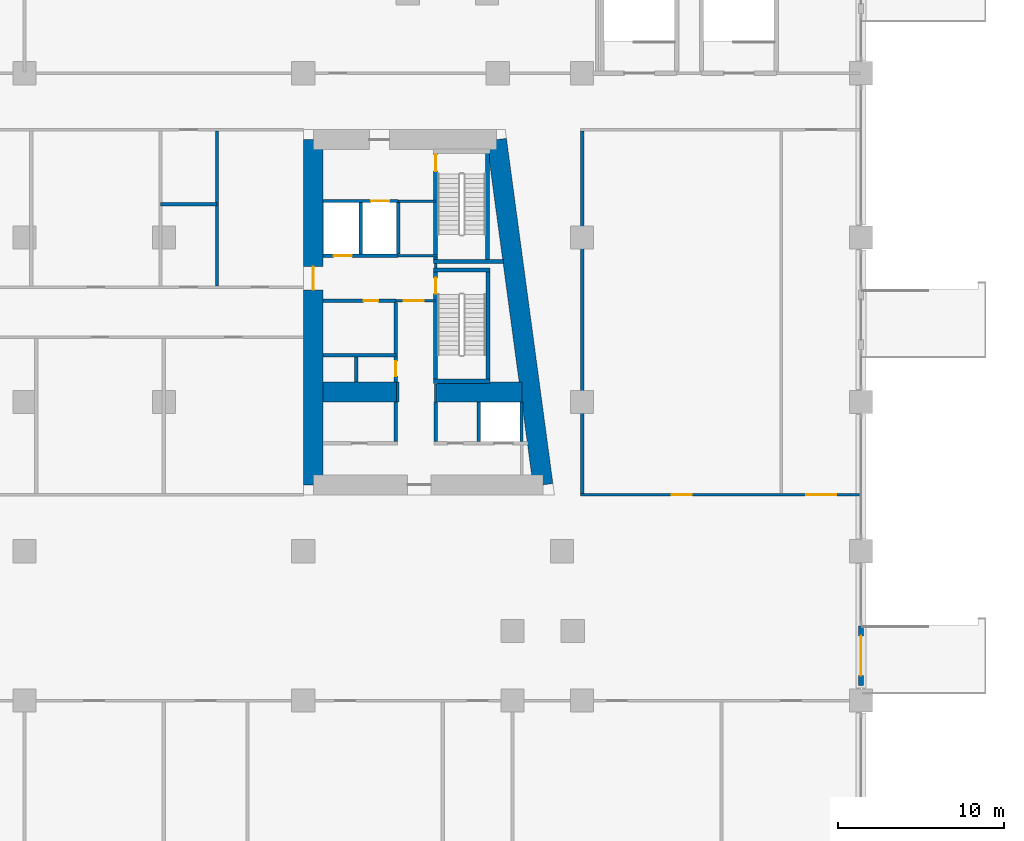
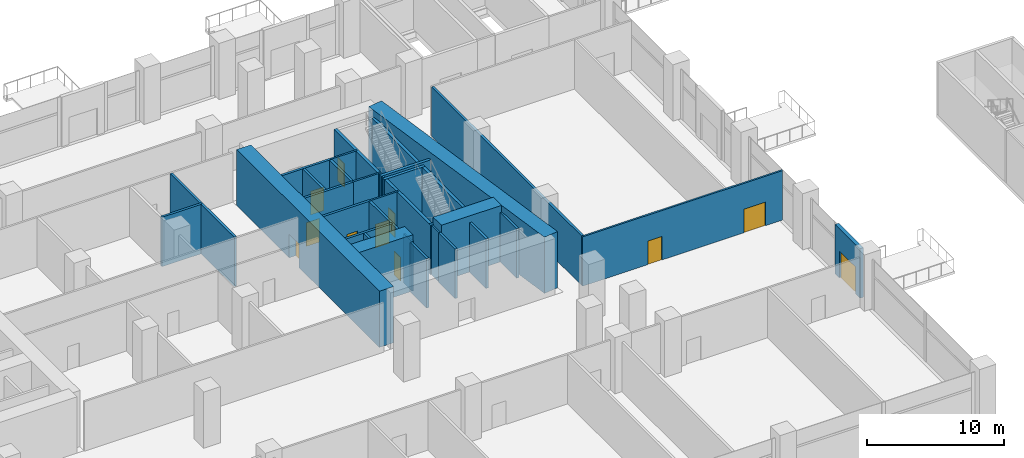
# One storey, part 20 of 33: 34 walls, 11 doors, 11 openings.
"""IFC4 building model written with IfcOpenShell, lengths in metres."""

from ifc_helpers import new_model, si_unit, direction, frame, frame_2d, origin, place, context, subcontext, project, spatial, rectangle, extrude, material, layer, layer_set, type_object, element, fill, save


model = new_model("IFC4")

# Units and contexts
model_context = context("Model", 3, precision=1e-05, world=origin(), true_north=direction((0.0, 1.0)))
body_context = subcontext(model_context, "Body", "Model", "MODEL_VIEW")
ifc_project = project(units=[si_unit("LENGTHUNIT", "METRE"), si_unit("AREAUNIT", "SQUARE_METRE"), si_unit("VOLUMEUNIT", "CUBIC_METRE"), si_unit("PLANEANGLEUNIT", "RADIAN"), si_unit("MASSUNIT", "GRAM", prefix="KILO")], contexts=[model_context])

# Site, building, storey
site_placement = place(None, origin())
site = spatial("IfcSite", under=ifc_project, at=site_placement, CompositionType="ELEMENT")
building_placement = place(site_placement, origin())
building = spatial("IfcBuilding", under=site, at=building_placement, Name="Candeia Pilgrim Tower and Theatre", CompositionType="ELEMENT")
storey_placement = place(building_placement, frame((0.0, 0.0, 29.0)))
storey = spatial("IfcBuildingStorey", under=building, at=storey_placement, Name="L04", CompositionType="ELEMENT", Elevation=29.0)

# Wall
ifc_material_1 = material(Name="Concrete C80/95", Category="concrete")
ifc_layer_1 = layer(ifc_material_1, 1.199951171875)
ifc_layer_set_1 = layer_set([ifc_layer_1], Name="Core wall 1200 C80/95")
wall_type_1 = type_object("IfcWallType", Name="Core wall 1200 C80/95", PredefinedType="SHEAR", material=ifc_layer_set_1)
wall_1_placement = place(storey_placement, frame((137.64453125, 131.800048828125, 0.0), z_axis=(0.0, 0.0, 1.0), x_axis=(0.133413989637, -0.99106039542, 0.0)))
element("IfcWall", 1, at=wall_1_placement, inside=storey, type_object=wall_type_1, Name="Core wall E2", PredefinedType="SHEAR", context=body_context, shape_type="SweptSolid", body=[
    extrude(rectangle(XDim=20.987548828125, YDim=1.199951171875, at=frame_2d((10.49365234375, 0.0))), origin(), (0.0, 0.0, 1.0), 5.0),
])

# Wall, opening, door
wall_2_placement = place(storey_placement, frame((126.60009765625, 111.0, 0.0), z_axis=(0.0, 0.0, 1.0), x_axis=(0.0, 1.0, 0.0)))
wall_2 = element("IfcWall", 2, at=wall_2_placement, inside=storey, type_object=wall_type_1, Name="Core wall E4", PredefinedType="SHEAR", context=body_context, shape_type="SweptSolid", body=[
    extrude(rectangle(XDim=20.800048828125, YDim=1.199951171875, at=frame_2d((10.39990234375, 0.0))), origin(), (0.0, 0.0, 1.0), 5.0),
])
opening_1_placement = place(wall_2_placement, frame((11.75, 0.0, 0.0)))
opening_1 = element("IfcOpeningElement", 3, at=opening_1_placement, cuts=wall_2, Name="Opening L04-D048", PredefinedType="OPENING", context=body_context, shape_type="SweptSolid", body=[
    extrude(rectangle(XDim=1.39990234375, YDim=2.10009765625, at=frame_2d((0.699951171875, 1.050048828125))), frame((0.0, 0.60986328125, 0.0), z_axis=(0.0, -1.0, 0.0), x_axis=(1.0, 0.0, 0.0)), (0.0, 0.0, 1.0), 1.219970703125),
])
ifc_material_2 = material(Name="Steel fire door set", Category="steel")
door_type_1 = type_object("IfcDoorType", Name="D-1400-FD60", OperationType="NOTDEFINED", PredefinedType="DOOR", material=ifc_material_2)
door_1_placement = place(opening_1_placement, origin())
door_1 = element("IfcDoor", 4, at=door_1_placement, inside=storey, type_object=door_type_1, Name="Door L04-D048", OperationType="SINGLE_SWING_RIGHT", OverallHeight=2.10009765625, OverallWidth=1.39990234375, PredefinedType="DOOR", context=body_context, shape_type="SweptSolid", body=[
    extrude(rectangle(XDim=1.39990234375, YDim=2.10009765625, at=frame_2d((0.699951171875, 1.050048828125))), frame((0.0, 0.02490234375, 0.0), z_axis=(0.0, -1.0, 0.0), x_axis=(1.0, 0.0, 0.0)), (0.0, 0.0, 1.0), 0.050048828125),
])
fill(opening_1, door_1)

# Walls
wall_3_placement = place(storey_placement, frame((127.199951171875, 116.60009765625, 0.0), z_axis=(0.0, 0.0, 1.0), x_axis=(1.0, 0.0, 0.0)))
element("IfcWall", 5, at=wall_3_placement, inside=storey, type_object=wall_type_1, Name="Core wall E5", PredefinedType="SHEAR", context=body_context, shape_type="SweptSolid", body=[
    extrude(rectangle(XDim=4.5, YDim=1.199951171875, at=frame_2d((2.25, 0.0))), origin(), (0.0, 0.0, 1.0), 5.0),
])
wall_4_placement = place(storey_placement, frame((134.10009765625, 116.60009765625, 0.0), z_axis=(0.0, 0.0, 1.0), x_axis=(1.0, 0.0, 0.0)))
element("IfcWall", 6, at=wall_4_placement, inside=storey, type_object=wall_type_1, Name="Core wall E6", PredefinedType="SHEAR", context=body_context, shape_type="SweptSolid", body=[
    extrude(rectangle(XDim=5.076904296875, YDim=1.199951171875, at=frame_2d((2.53857421875, 0.0))), origin(), (0.0, 0.0, 1.0), 5.0),
])

# Wall, opening, door
ifc_material_3 = material(Name="Ceramic block masonry", Category="masonry")
ifc_layer_2 = layer(ifc_material_3, 0.300048828125)
ifc_layer_set_2 = layer_set([ifc_layer_2], Name="EW2 entrance infill wall 300")
wall_type_2 = type_object("IfcWallType", Name="EW2 entrance infill wall 300", PredefinedType="SOLIDWALL", material=ifc_layer_set_2)
wall_5_placement = place(storey_placement, frame((159.60009765625, 102.5, 0.0), z_axis=(0.0, 0.0, 1.0), x_axis=(0.0, -1.0, 0.0)))
wall_5 = element("IfcWall", 7, at=wall_5_placement, inside=storey, type_object=wall_type_2, Name="Entrance wall L04", PredefinedType="SOLIDWALL", context=body_context, shape_type="SweptSolid", body=[
    extrude(rectangle(XDim=3.60009765625, YDim=0.300048828125, at=frame_2d((1.800048828125, 0.0))), origin(), (0.0, 0.0, 1.0), 4.39990234375),
])
opening_2_placement = place(wall_5_placement, frame((0.60009765625, 0.0, 0.0)))
opening_2 = element("IfcOpeningElement", 8, at=opening_2_placement, cuts=wall_5, Name="Opening L04-ED082", PredefinedType="OPENING", context=body_context, shape_type="SweptSolid", body=[
    extrude(rectangle(XDim=2.39990234375, YDim=2.39990234375, at=frame_2d((1.199951171875, 1.199951171875))), frame((0.0, 0.16015625, 0.0), z_axis=(0.0, -1.0, 0.0), x_axis=(1.0, 0.0, 0.0)), (0.0, 0.0, 1.0), 0.320068359375),
])
ifc_material_4 = material(Name="Aluminium framed glazed door", Category="aluminium")
door_type_2 = type_object("IfcDoorType", Name="ED entrance double door 2400x2400", OperationType="DOUBLE_DOOR_DOUBLE_SWING", PredefinedType="DOOR", material=ifc_material_4)
door_2_placement = place(opening_2_placement, origin())
door_2 = element("IfcDoor", 9, at=door_2_placement, inside=storey, type_object=door_type_2, Name="Entrance door L04-ED082", OperationType="DOUBLE_DOOR_DOUBLE_SWING", OverallHeight=2.39990234375, OverallWidth=2.39990234375, PredefinedType="DOOR", context=body_context, shape_type="SweptSolid", body=[
    extrude(rectangle(XDim=2.39990234375, YDim=2.39990234375, at=frame_2d((1.199951171875, 1.199951171875))), frame((0.0, 0.02490234375, 0.0), z_axis=(0.0, -1.0, 0.0), x_axis=(1.0, 0.0, 0.0)), (0.0, 0.0, 1.0), 0.050048828125),
])
fill(opening_2, door_2)

# Wall, openings, doors
ifc_material_5 = material(Name="Gypsum board partition on steel studs", Category="steel")
ifc_layer_3 = layer(ifc_material_5, 0.14990234375)
ifc_layer_set_3 = layer_set([ifc_layer_3], Name="PW-150 lobby wall")
wall_type_3 = type_object("IfcWallType", Name="PW-150 lobby wall", PredefinedType="PARTITIONING", material=ifc_layer_set_3)
wall_6_placement = place(storey_placement, frame((142.699951171875, 110.39990234375, 0.0), z_axis=(0.0, 0.0, 1.0), x_axis=(1.0, 0.0, 0.0)))
wall_6 = element("IfcWall", 10, at=wall_6_placement, inside=storey, type_object=wall_type_3, Name="Lobby wall L04-004", PredefinedType="PARTITIONING", context=body_context, shape_type="SweptSolid", body=[
    extrude(rectangle(XDim=16.85009765625, YDim=0.14990234375, at=frame_2d((8.425048828125, 0.0))), origin(), (0.0, 0.0, 1.0), 4.39990234375),
])
opening_3_placement = place(wall_6_placement, frame((5.5, 0.0, 0.0)))
opening_3 = element("IfcOpeningElement", 11, at=opening_3_placement, cuts=wall_6, Name="Opening L04-D011", PredefinedType="OPENING", context=body_context, shape_type="SweptSolid", body=[
    extrude(rectangle(XDim=1.199951171875, YDim=2.10009765625, at=frame_2d((0.60009765625, 1.050048828125))), frame((0.0, 0.0849609375, 0.0), z_axis=(0.0, -1.0, 0.0), x_axis=(1.0, 0.0, 0.0)), (0.0, 0.0, 1.0), 0.169921875),
])
opening_4_placement = place(wall_6_placement, frame((13.60009765625, 0.0, 0.0)))
opening_4 = element("IfcOpeningElement", 12, at=opening_4_placement, cuts=wall_6, Name="Opening L04-D028", PredefinedType="OPENING", context=body_context, shape_type="SweptSolid", body=[
    extrude(rectangle(XDim=1.800048828125, YDim=2.10009765625, at=frame_2d((0.89990234375, 1.050048828125))), frame((0.0, 0.0849609375, 0.0), z_axis=(0.0, -1.0, 0.0), x_axis=(1.0, 0.0, 0.0)), (0.0, 0.0, 1.0), 0.169921875),
])
door_type_3 = type_object("IfcDoorType", Name="D-1200-FD30S", OperationType="NOTDEFINED", PredefinedType="DOOR", material=ifc_material_2)
door_3_placement = place(opening_3_placement, origin())
door_3 = element("IfcDoor", 13, at=door_3_placement, inside=storey, type_object=door_type_3, Name="Door L04-D011", OperationType="SINGLE_SWING_LEFT", OverallHeight=2.10009765625, OverallWidth=1.199951171875, PredefinedType="DOOR", context=body_context, shape_type="SweptSolid", body=[
    extrude(rectangle(XDim=1.199951171875, YDim=2.10009765625, at=frame_2d((0.60009765625, 1.050048828125))), frame((0.0, 0.02490234375, 0.0), z_axis=(0.0, -1.0, 0.0), x_axis=(1.0, 0.0, 0.0)), (0.0, 0.0, 1.0), 0.050048828125),
])
fill(opening_3, door_3)
door_type_4 = type_object("IfcDoorType", Name="D-1800-FD60", OperationType="NOTDEFINED", PredefinedType="DOOR", material=ifc_material_2)
door_4_placement = place(opening_4_placement, origin())
door_4 = element("IfcDoor", 14, at=door_4_placement, inside=storey, type_object=door_type_4, Name="Door L04-D028", OperationType="SINGLE_SWING_RIGHT", OverallHeight=2.10009765625, OverallWidth=1.800048828125, PredefinedType="DOOR", context=body_context, shape_type="SweptSolid", body=[
    extrude(rectangle(XDim=1.800048828125, YDim=2.10009765625, at=frame_2d((0.89990234375, 1.050048828125))), frame((0.0, 0.02490234375, 0.0), z_axis=(0.0, -1.0, 0.0), x_axis=(1.0, 0.0, 0.0)), (0.0, 0.0, 1.0), 0.050048828125),
])
fill(opening_4, door_4)

# Wall, opening, door
wall_7_placement = place(storey_placement, frame((131.572998046875, 122.10009765625, 0.0), z_axis=(0.0, 0.0, 1.0), x_axis=(1.0, 0.0, 0.0)))
wall_7 = element("IfcWall", 15, at=wall_7_placement, inside=storey, type_object=wall_type_3, Name="Lobby wall L04-017", PredefinedType="PARTITIONING", context=body_context, shape_type="SweptSolid", body=[
    extrude(rectangle(XDim=2.39990234375, YDim=0.14990234375, at=frame_2d((1.199951171875, 0.0))), origin(), (0.0, 0.0, 1.0), 4.39990234375),
])
opening_5_placement = place(wall_7_placement, frame((0.47509765625, 0.0, 0.0)))
opening_5 = element("IfcOpeningElement", 16, at=opening_5_placement, cuts=wall_7, Name="Opening L04-D036", PredefinedType="OPENING", context=body_context, shape_type="SweptSolid", body=[
    extrude(rectangle(XDim=1.199951171875, YDim=2.10009765625, at=frame_2d((0.60009765625, 1.050048828125))), frame((0.0, 0.0849609375, 0.0), z_axis=(0.0, -1.0, 0.0), x_axis=(1.0, 0.0, 0.0)), (0.0, 0.0, 1.0), 0.169921875),
])
door_type_5 = type_object("IfcDoorType", Name="D-1200-FD60", OperationType="NOTDEFINED", PredefinedType="DOOR", material=ifc_material_2)
door_5_placement = place(opening_5_placement, origin())
door_5 = element("IfcDoor", 17, at=door_5_placement, inside=storey, type_object=door_type_5, Name="Door L04-D036", OperationType="SINGLE_SWING_LEFT", OverallHeight=2.10009765625, OverallWidth=1.199951171875, PredefinedType="DOOR", context=body_context, shape_type="SweptSolid", body=[
    extrude(rectangle(XDim=1.199951171875, YDim=2.10009765625, at=frame_2d((0.60009765625, 1.050048828125))), frame((0.0, 0.02490234375, 0.0), z_axis=(0.0, -1.0, 0.0), x_axis=(1.0, 0.0, 0.0)), (0.0, 0.0, 1.0), 0.050048828125),
])
fill(opening_5, door_5)

# Walls
wall_8_placement = place(storey_placement, frame((131.71533203125, 124.800048828125, 0.0), z_axis=(0.0, 0.0, 1.0), x_axis=(1.0, 0.0, 0.0)))
element("IfcWall", 18, at=wall_8_placement, inside=storey, type_object=wall_type_3, Name="Lobby wall L04-025", PredefinedType="PARTITIONING", context=body_context, shape_type="SweptSolid", body=[
    extrude(rectangle(XDim=2.382568359375, YDim=0.14990234375, at=frame_2d((1.19140625, 0.0))), origin(), (0.0, 0.0, 1.0), 4.39990234375),
])
wall_9_placement = place(storey_placement, frame((131.71533203125, 128.10009765625, 0.0), z_axis=(0.0, 0.0, 1.0), x_axis=(1.0, 0.0, 0.0)))
element("IfcWall", 19, at=wall_9_placement, inside=storey, type_object=wall_type_3, Name="Lobby wall L04-029", PredefinedType="PARTITIONING", context=body_context, shape_type="SweptSolid", body=[
    extrude(rectangle(XDim=2.257568359375, YDim=0.14990234375, at=frame_2d((1.12890625, 0.0))), origin(), (0.0, 0.0, 1.0), 4.39990234375),
])
wall_10_placement = place(storey_placement, frame((131.699951171875, 116.0, 0.0), z_axis=(0.0, 0.0, 1.0), x_axis=(0.0, 1.0, 0.0)))
element("IfcWall", 20, at=wall_10_placement, inside=storey, type_object=wall_type_3, Name="Lobby wall L04-080", PredefinedType="PARTITIONING", context=body_context, shape_type="SweptSolid", body=[
    extrude(rectangle(XDim=1.199951171875, YDim=0.14990234375, at=frame_2d((0.60009765625, 0.0))), origin(), (0.0, 0.0, 1.0), 4.39990234375),
])
wall_11_placement = place(storey_placement, frame((133.972900390625, 116.0, 0.0), z_axis=(0.0, 0.0, 1.0), x_axis=(0.0, 1.0, 0.0)))
element("IfcWall", 21, at=wall_11_placement, inside=storey, type_object=wall_type_3, Name="Lobby wall L04-083", PredefinedType="PARTITIONING", context=body_context, shape_type="SweptSolid", body=[
    extrude(rectangle(XDim=1.074951171875, YDim=0.14990234375, at=frame_2d((0.53759765625, 0.0))), origin(), (0.0, 0.0, 1.0), 4.39990234375),
])
wall_12_placement = place(storey_placement, frame((133.972900390625, 124.074951171875, 0.0), z_axis=(0.0, 0.0, 1.0), x_axis=(0.0, 1.0, 0.0)))
element("IfcWall", 22, at=wall_12_placement, inside=storey, type_object=wall_type_3, Name="Lobby wall L04-084", PredefinedType="PARTITIONING", context=body_context, shape_type="SweptSolid", body=[
    extrude(rectangle(XDim=0.25, YDim=0.14990234375, at=frame_2d((0.125, 0.0))), origin(), (0.0, 0.0, 1.0), 4.39990234375),
])
ifc_layer_4 = layer(ifc_material_5, 0.199951171875)
ifc_layer_set_4 = layer_set([ifc_layer_4], Name="PW-200 party wall")
wall_type_4 = type_object("IfcWallType", Name="PW-200 party wall", PredefinedType="PARTITIONING", material=ifc_layer_set_4)
wall_13_placement = place(storey_placement, frame((117.39990234375, 127.89990234375, 0.0), z_axis=(0.0, 0.0, 1.0), x_axis=(1.0, 0.0, 0.0)))
element("IfcWall", 23, at=wall_13_placement, inside=storey, type_object=wall_type_4, Name="Party wall L04-026", PredefinedType="PARTITIONING", context=body_context, shape_type="SweptSolid", body=[
    extrude(rectangle(XDim=3.400146484375, YDim=0.199951171875, at=frame_2d((1.7001953125, 0.0))), origin(), (0.0, 0.0, 1.0), 4.39990234375),
])
wall_14_placement = place(storey_placement, frame((120.800048828125, 122.97509765625, 0.0), z_axis=(0.0, 0.0, 1.0), x_axis=(0.0, 1.0, 0.0)))
element("IfcWall", 24, at=wall_14_placement, inside=storey, type_object=wall_type_4, Name="Party wall L04-074", PredefinedType="PARTITIONING", context=body_context, shape_type="SweptSolid", body=[
    extrude(rectangle(XDim=9.349853515625, YDim=0.199951171875, at=frame_2d((4.6748046875, 0.0))), origin(), (0.0, 0.0, 1.0), 4.39990234375),
])
wall_15_placement = place(storey_placement, frame((142.800048828125, 110.47509765625, 0.0), z_axis=(0.0, 0.0, 1.0), x_axis=(0.0, 1.0, 0.0)))
element("IfcWall", 25, at=wall_15_placement, inside=storey, type_object=wall_type_4, Name="Party wall L04-094", PredefinedType="PARTITIONING", context=body_context, shape_type="SweptSolid", body=[
    extrude(rectangle(XDim=21.849853515625, YDim=0.199951171875, at=frame_2d((10.9248046875, 0.0))), origin(), (0.0, 0.0, 1.0), 4.39990234375),
])
ifc_material_6 = material(Name="Concrete C40/50", Category="concrete")
ifc_layer_5 = layer(ifc_material_6, 0.199951171875)
ifc_layer_set_5 = layer_set([ifc_layer_5], Name="SW-200 shaft wall")
wall_type_5 = type_object("IfcWallType", Name="SW-200 shaft wall", PredefinedType="PARTITIONING", material=ifc_layer_set_5)
wall_16_placement = place(storey_placement, frame((127.199951171875, 118.800048828125, 0.0), z_axis=(0.0, 0.0, 1.0), x_axis=(1.0, 0.0, 0.0)))
element("IfcWall", 26, at=wall_16_placement, inside=storey, type_object=wall_type_5, Name="Shaft wall L04-012", PredefinedType="PARTITIONING", context=body_context, shape_type="SweptSolid", body=[
    extrude(rectangle(XDim=4.373046875, YDim=0.199951171875, at=frame_2d((2.1865234375, 0.0))), origin(), (0.0, 0.0, 1.0), 4.39990234375),
])

# Wall, opening, door
wall_17_placement = place(storey_placement, frame((127.199951171875, 122.10009765625, 0.0), z_axis=(0.0, 0.0, 1.0), x_axis=(1.0, 0.0, 0.0)))
wall_17 = element("IfcWall", 27, at=wall_17_placement, inside=storey, type_object=wall_type_5, Name="Shaft wall L04-015", PredefinedType="PARTITIONING", context=body_context, shape_type="SweptSolid", body=[
    extrude(rectangle(XDim=4.373046875, YDim=0.199951171875, at=frame_2d((2.1865234375, 0.0))), origin(), (0.0, 0.0, 1.0), 4.39990234375),
])
opening_6_placement = place(wall_17_placement, frame((2.429931640625, 0.0, 0.0)))
opening_6 = element("IfcOpeningElement", 28, at=opening_6_placement, cuts=wall_17, Name="Opening L04-D037", PredefinedType="OPENING", context=body_context, shape_type="SweptSolid", body=[
    extrude(rectangle(XDim=0.89990234375, YDim=2.10009765625, at=frame_2d((0.449951171875, 1.050048828125))), frame((0.0, 0.10986328125, 0.0), z_axis=(0.0, -1.0, 0.0), x_axis=(1.0, 0.0, 0.0)), (0.0, 0.0, 1.0), 0.219970703125),
])
door_type_6 = type_object("IfcDoorType", Name="D-900-FD60", OperationType="NOTDEFINED", PredefinedType="DOOR", material=ifc_material_2)
door_6_placement = place(opening_6_placement, origin())
door_6 = element("IfcDoor", 29, at=door_6_placement, inside=storey, type_object=door_type_6, Name="Door L04-D037", OperationType="SINGLE_SWING_RIGHT", OverallHeight=2.10009765625, OverallWidth=0.89990234375, PredefinedType="DOOR", context=body_context, shape_type="SweptSolid", body=[
    extrude(rectangle(XDim=0.89990234375, YDim=2.10009765625, at=frame_2d((0.449951171875, 1.050048828125))), frame((0.0, 0.02490234375, 0.0), z_axis=(0.0, -1.0, 0.0), x_axis=(1.0, 0.0, 0.0)), (0.0, 0.0, 1.0), 0.050048828125),
])
fill(opening_6, door_6)

wall_18_placement = place(storey_placement, frame((127.199951171875, 124.800048828125, 0.0), z_axis=(0.0, 0.0, 1.0), x_axis=(1.0, 0.0, 0.0)))
wall_18 = element("IfcWall", 30, at=wall_18_placement, inside=storey, type_object=wall_type_5, Name="Shaft wall L04-024", PredefinedType="PARTITIONING", context=body_context, shape_type="SweptSolid", body=[
    extrude(rectangle(XDim=4.515380859375, YDim=0.199951171875, at=frame_2d((2.2578125, 0.0))), origin(), (0.0, 0.0, 1.0), 4.39990234375),
])
opening_7_placement = place(wall_18_placement, frame((0.625, 0.0, 0.0)))
opening_7 = element("IfcOpeningElement", 31, at=opening_7_placement, cuts=wall_18, Name="Opening L04-LD07", PredefinedType="OPENING", context=body_context, shape_type="SweptSolid", body=[
    extrude(rectangle(XDim=1.10009765625, YDim=2.10009765625, at=frame_2d((0.550048828125, 1.050048828125))), frame((0.0, 0.10986328125, 0.0), z_axis=(0.0, -1.0, 0.0), x_axis=(1.0, 0.0, 0.0)), (0.0, 0.0, 1.0), 0.219970703125),
])
ifc_material_7 = material(Name="Glazed aluminium landing door", Category="aluminium")
door_type_7 = type_object("IfcDoorType", Name="LD-1100-EI120", OperationType="SLIDING_TO_LEFT", PredefinedType="DOOR", material=ifc_material_7)
door_7_placement = place(opening_7_placement, origin())
door_7 = element("IfcDoor", 32, at=door_7_placement, inside=storey, type_object=door_type_7, Name="Landing door 07 L04", OperationType="SLIDING_TO_LEFT", OverallHeight=2.10009765625, OverallWidth=1.10009765625, PredefinedType="DOOR", context=body_context, shape_type="SweptSolid", body=[
    extrude(rectangle(XDim=1.10009765625, YDim=2.10009765625, at=frame_2d((0.550048828125, 1.050048828125))), frame((0.0, 0.02490234375, 0.0), z_axis=(0.0, -1.0, 0.0), x_axis=(1.0, 0.0, 0.0)), (0.0, 0.0, 1.0), 0.050048828125),
])
fill(opening_7, door_7)

wall_19_placement = place(storey_placement, frame((127.199951171875, 128.10009765625, 0.0), z_axis=(0.0, 0.0, 1.0), x_axis=(1.0, 0.0, 0.0)))
wall_19 = element("IfcWall", 33, at=wall_19_placement, inside=storey, type_object=wall_type_5, Name="Shaft wall L04-028", PredefinedType="PARTITIONING", context=body_context, shape_type="SweptSolid", body=[
    extrude(rectangle(XDim=4.515380859375, YDim=0.199951171875, at=frame_2d((2.2578125, 0.0))), origin(), (0.0, 0.0, 1.0), 4.39990234375),
])
opening_8_placement = place(wall_19_placement, frame((2.882080078125, 0.0, 0.0)))
opening_8 = element("IfcOpeningElement", 34, at=opening_8_placement, cuts=wall_19, Name="Opening L04-LD06", PredefinedType="OPENING", context=body_context, shape_type="SweptSolid", body=[
    extrude(rectangle(XDim=1.10009765625, YDim=2.10009765625, at=frame_2d((0.550048828125, 1.050048828125))), frame((0.0, 0.10986328125, 0.0), z_axis=(0.0, -1.0, 0.0), x_axis=(1.0, 0.0, 0.0)), (0.0, 0.0, 1.0), 0.219970703125),
])
door_8_placement = place(opening_8_placement, origin())
door_8 = element("IfcDoor", 35, at=door_8_placement, inside=storey, type_object=door_type_7, Name="Landing door 06 L04", OperationType="SLIDING_TO_LEFT", OverallHeight=2.10009765625, OverallWidth=1.10009765625, PredefinedType="DOOR", context=body_context, shape_type="SweptSolid", body=[
    extrude(rectangle(XDim=1.10009765625, YDim=2.10009765625, at=frame_2d((0.550048828125, 1.050048828125))), frame((0.0, 0.02490234375, 0.0), z_axis=(0.0, -1.0, 0.0), x_axis=(1.0, 0.0, 0.0)), (0.0, 0.0, 1.0), 0.050048828125),
])
fill(opening_8, door_8)

# Walls
wall_20_placement = place(storey_placement, frame((129.199951171875, 117.199951171875, 0.0), z_axis=(0.0, 0.0, 1.0), x_axis=(0.0, 1.0, 0.0)))
element("IfcWall", 36, at=wall_20_placement, inside=storey, type_object=wall_type_5, Name="Shaft wall L04-076", PredefinedType="PARTITIONING", context=body_context, shape_type="SweptSolid", body=[
    extrude(rectangle(XDim=1.5, YDim=0.199951171875, at=frame_2d((0.75, 0.0))), origin(), (0.0, 0.0, 1.0), 4.39990234375),
])
wall_21_placement = place(storey_placement, frame((129.457763671875, 124.89990234375, 0.0), z_axis=(0.0, 0.0, 1.0), x_axis=(0.0, 1.0, 0.0)))
element("IfcWall", 37, at=wall_21_placement, inside=storey, type_object=wall_type_5, Name="Shaft wall L04-077", PredefinedType="PARTITIONING", context=body_context, shape_type="SweptSolid", body=[
    extrude(rectangle(XDim=3.10009765625, YDim=0.199951171875, at=frame_2d((1.550048828125, 0.0))), origin(), (0.0, 0.0, 1.0), 4.39990234375),
])
wall_22_placement = place(storey_placement, frame((131.572998046875, 113.60009765625, 0.0), z_axis=(0.0, 0.0, 1.0), x_axis=(0.0, 1.0, 0.0)))
element("IfcWall", 38, at=wall_22_placement, inside=storey, type_object=wall_type_5, Name="Shaft wall L04-078", PredefinedType="PARTITIONING", context=body_context, shape_type="SweptSolid", body=[
    extrude(rectangle(XDim=2.39990234375, YDim=0.199951171875, at=frame_2d((1.199951171875, 0.0))), origin(), (0.0, 0.0, 1.0), 4.39990234375),
])

# Wall, opening, door
wall_23_placement = place(storey_placement, frame((131.572998046875, 117.199951171875, 0.0), z_axis=(0.0, 0.0, 1.0), x_axis=(0.0, 1.0, 0.0)))
wall_23 = element("IfcWall", 39, at=wall_23_placement, inside=storey, type_object=wall_type_5, Name="Shaft wall L04-079", PredefinedType="PARTITIONING", context=body_context, shape_type="SweptSolid", body=[
    extrude(rectangle(XDim=4.800048828125, YDim=0.199951171875, at=frame_2d((2.39990234375, 0.0))), origin(), (0.0, 0.0, 1.0), 4.39990234375),
])
opening_9_placement = place(wall_23_placement, frame((0.35009765625, 0.0, 0.0)))
opening_9 = element("IfcOpeningElement", 40, at=opening_9_placement, cuts=wall_23, Name="Opening L04-D040", PredefinedType="OPENING", context=body_context, shape_type="SweptSolid", body=[
    extrude(rectangle(XDim=0.89990234375, YDim=2.10009765625, at=frame_2d((0.449951171875, 1.050048828125))), frame((0.0, 0.10986328125, 0.0), z_axis=(0.0, -1.0, 0.0), x_axis=(1.0, 0.0, 0.0)), (0.0, 0.0, 1.0), 0.219970703125),
])
door_9_placement = place(opening_9_placement, origin())
door_9 = element("IfcDoor", 41, at=door_9_placement, inside=storey, type_object=door_type_6, Name="Door L04-D040", OperationType="SINGLE_SWING_LEFT", OverallHeight=2.10009765625, OverallWidth=0.89990234375, PredefinedType="DOOR", context=body_context, shape_type="SweptSolid", body=[
    extrude(rectangle(XDim=0.89990234375, YDim=2.10009765625, at=frame_2d((0.449951171875, 1.050048828125))), frame((0.0, 0.02490234375, 0.0), z_axis=(0.0, -1.0, 0.0), x_axis=(1.0, 0.0, 0.0)), (0.0, 0.0, 1.0), 0.050048828125),
])
fill(opening_9, door_9)

# Walls
wall_24_placement = place(storey_placement, frame((131.71533203125, 124.89990234375, 0.0), z_axis=(0.0, 0.0, 1.0), x_axis=(0.0, 1.0, 0.0)))
element("IfcWall", 42, at=wall_24_placement, inside=storey, type_object=wall_type_5, Name="Shaft wall L04-081", PredefinedType="PARTITIONING", context=body_context, shape_type="SweptSolid", body=[
    extrude(rectangle(XDim=3.10009765625, YDim=0.199951171875, at=frame_2d((1.550048828125, 0.0))), origin(), (0.0, 0.0, 1.0), 4.39990234375),
])
for number, where, z_axis, x_axis, name in (
    (43, (133.972900390625, 113.60009765625, 0.0), (0.0, 0.0, 1.0), (0.0, 1.0, 0.0), "Shaft wall L04-082"),
    (44, (136.571044921875, 113.60009765625, 0.0), (0.0, 0.0, 1.0), (0.0, 1.0, 0.0), "Shaft wall L04-088"),
    (45, (139.14697265625, 113.60009765625, 0.0), (0.0, 0.0, 1.0), (0.0, 1.0, 0.0), "Shaft wall L04-092"),
):
    element("IfcWall", number, at=place(storey_placement, frame(where, z_axis=z_axis, x_axis=x_axis)), inside=storey, type_object=wall_type_5, Name=name, PredefinedType="PARTITIONING", context=body_context, shape_type="SweptSolid", body=[
        extrude(rectangle(XDim=2.39990234375, YDim=0.199951171875, at=frame_2d((1.199951171875, 0.0))), origin(), (0.0, 0.0, 1.0), 4.39990234375),
    ])
ifc_layer_6 = layer(ifc_material_6, 0.25)
ifc_layer_set_6 = layer_set([ifc_layer_6], Name="SW-250 stair wall")
wall_type_6 = type_object("IfcWallType", Name="SW-250 stair wall", PredefinedType="PARTITIONING", material=ifc_layer_set_6)
for number, where, z_axis, x_axis, name in (
    (46, (133.847900390625, 117.2451171875, 0.0), (0.0, 0.0, 1.0), (1.0, 0.0, 0.0), "Stair wall L04-010"),
    (47, (133.847900390625, 123.949951171875, 0.0), (0.0, 0.0, 1.0), (1.0, 0.0, 0.0), "Stair wall L04-020"),
):
    element("IfcWall", number, at=place(storey_placement, frame(where, z_axis=z_axis, x_axis=x_axis)), inside=storey, type_object=wall_type_6, Name=name, PredefinedType="PARTITIONING", context=body_context, shape_type="SweptSolid", body=[
        extrude(rectangle(XDim=3.400146484375, YDim=0.25, at=frame_2d((1.7001953125, 0.0))), origin(), (0.0, 0.0, 1.0), 4.39990234375),
    ])
wall_25_placement = place(storey_placement, frame((133.847900390625, 124.449951171875, 0.0), z_axis=(0.0, 0.0, 1.0), x_axis=(1.0, 0.0, 0.0)))
element("IfcWall", 48, at=wall_25_placement, inside=storey, type_object=wall_type_6, Name="Stair wall L04-022", PredefinedType="PARTITIONING", context=body_context, shape_type="SweptSolid", body=[
    extrude(rectangle(XDim=4.210693359375, YDim=0.25, at=frame_2d((2.10546875, 0.0))), origin(), (0.0, 0.0, 1.0), 4.39990234375),
])

# Wall, opening, door
wall_26_placement = place(storey_placement, frame((133.972900390625, 117.169921875, 0.0), z_axis=(0.0, 0.0, 1.0), x_axis=(0.0, 1.0, 0.0)))
wall_26 = element("IfcWall", 49, at=wall_26_placement, inside=storey, type_object=wall_type_6, Name="Stair wall L04-085", PredefinedType="PARTITIONING", context=body_context, shape_type="SweptSolid", body=[
    extrude(rectangle(XDim=6.655029296875, YDim=0.25, at=frame_2d((3.32763671875, 0.0))), origin(), (0.0, 0.0, 1.0), 4.39990234375),
])
opening_10_placement = place(wall_26_placement, frame((5.35498046875, 0.0, 0.0)))
opening_10 = element("IfcOpeningElement", 50, at=opening_10_placement, cuts=wall_26, Name="Opening L04-D038", PredefinedType="OPENING", context=body_context, shape_type="SweptSolid", body=[
    extrude(rectangle(XDim=0.949951171875, YDim=2.10009765625, at=frame_2d((0.47509765625, 1.050048828125))), frame((0.0, 0.135009765625, 0.0), z_axis=(0.0, -1.0, 0.0), x_axis=(1.0, 0.0, 0.0)), (0.0, 0.0, 1.0), 0.27001953125),
])
door_type_8 = type_object("IfcDoorType", Name="D-950-FD60", OperationType="NOTDEFINED", PredefinedType="DOOR", material=ifc_material_2)
door_10_placement = place(opening_10_placement, origin())
door_10 = element("IfcDoor", 51, at=door_10_placement, inside=storey, type_object=door_type_8, Name="Door L04-D038", OperationType="SINGLE_SWING_LEFT", OverallHeight=2.10009765625, OverallWidth=0.949951171875, PredefinedType="DOOR", context=body_context, shape_type="SweptSolid", body=[
    extrude(rectangle(XDim=0.949951171875, YDim=2.10009765625, at=frame_2d((0.47509765625, 1.050048828125))), frame((0.0, 0.02490234375, 0.0), z_axis=(0.0, -1.0, 0.0), x_axis=(1.0, 0.0, 0.0)), (0.0, 0.0, 1.0), 0.050048828125),
])
fill(opening_10, door_10)

wall_27_placement = place(storey_placement, frame((133.972900390625, 124.574951171875, 0.0), z_axis=(0.0, 0.0, 1.0), x_axis=(0.0, 1.0, 0.0)))
wall_27 = element("IfcWall", 52, at=wall_27_placement, inside=storey, type_object=wall_type_6, Name="Stair wall L04-086", PredefinedType="PARTITIONING", context=body_context, shape_type="SweptSolid", body=[
    extrude(rectangle(XDim=6.655029296875, YDim=0.25, at=frame_2d((3.32763671875, 0.0))), origin(), (0.0, 0.0, 1.0), 4.39990234375),
])
opening_11_placement = place(wall_27_placement, frame((5.324951171875, 0.0, 0.0)))
opening_11 = element("IfcOpeningElement", 53, at=opening_11_placement, cuts=wall_27, Name="Opening L04-D039", PredefinedType="OPENING", context=body_context, shape_type="SweptSolid", body=[
    extrude(rectangle(XDim=1.0, YDim=2.10009765625, at=frame_2d((0.5, 1.050048828125))), frame((0.0, 0.135009765625, 0.0), z_axis=(0.0, -1.0, 0.0), x_axis=(1.0, 0.0, 0.0)), (0.0, 0.0, 1.0), 0.27001953125),
])
door_type_9 = type_object("IfcDoorType", Name="D-1000-FD60", OperationType="NOTDEFINED", PredefinedType="DOOR", material=ifc_material_2)
door_11_placement = place(opening_11_placement, origin())
door_11 = element("IfcDoor", 54, at=door_11_placement, inside=storey, type_object=door_type_9, Name="Door L04-D039", OperationType="SINGLE_SWING_RIGHT", OverallHeight=2.10009765625, OverallWidth=1.0, PredefinedType="DOOR", context=body_context, shape_type="SweptSolid", body=[
    extrude(rectangle(XDim=1.0, YDim=2.10009765625, at=frame_2d((0.5, 1.050048828125))), frame((0.0, 0.02490234375, 0.0), z_axis=(0.0, -1.0, 0.0), x_axis=(1.0, 0.0, 0.0)), (0.0, 0.0, 1.0), 0.050048828125),
])
fill(opening_11, door_11)

# Walls
wall_28_placement = place(storey_placement, frame((137.123046875, 117.169921875, 0.0), z_axis=(0.0, 0.0, 1.0), x_axis=(0.0, 1.0, 0.0)))
element("IfcWall", 55, at=wall_28_placement, inside=storey, type_object=wall_type_6, Name="Stair wall L04-089", PredefinedType="PARTITIONING", context=body_context, shape_type="SweptSolid", body=[
    extrude(rectangle(XDim=6.655029296875, YDim=0.25, at=frame_2d((3.32763671875, 0.0))), origin(), (0.0, 0.0, 1.0), 4.39990234375),
])
wall_29_placement = place(storey_placement, frame((137.0927734375, 124.574951171875, 0.0), z_axis=(0.0, 0.0, 1.0), x_axis=(0.0, 1.0, 0.0)))
element("IfcWall", 56, at=wall_29_placement, inside=storey, type_object=wall_type_6, Name="Stair wall L04-090", PredefinedType="PARTITIONING", context=body_context, shape_type="SweptSolid", body=[
    extrude(rectangle(XDim=6.5, YDim=0.25, at=frame_2d((3.25, 0.0))), origin(), (0.0, 0.0, 1.0), 4.39990234375),
])

save(model, "model.ifc")
